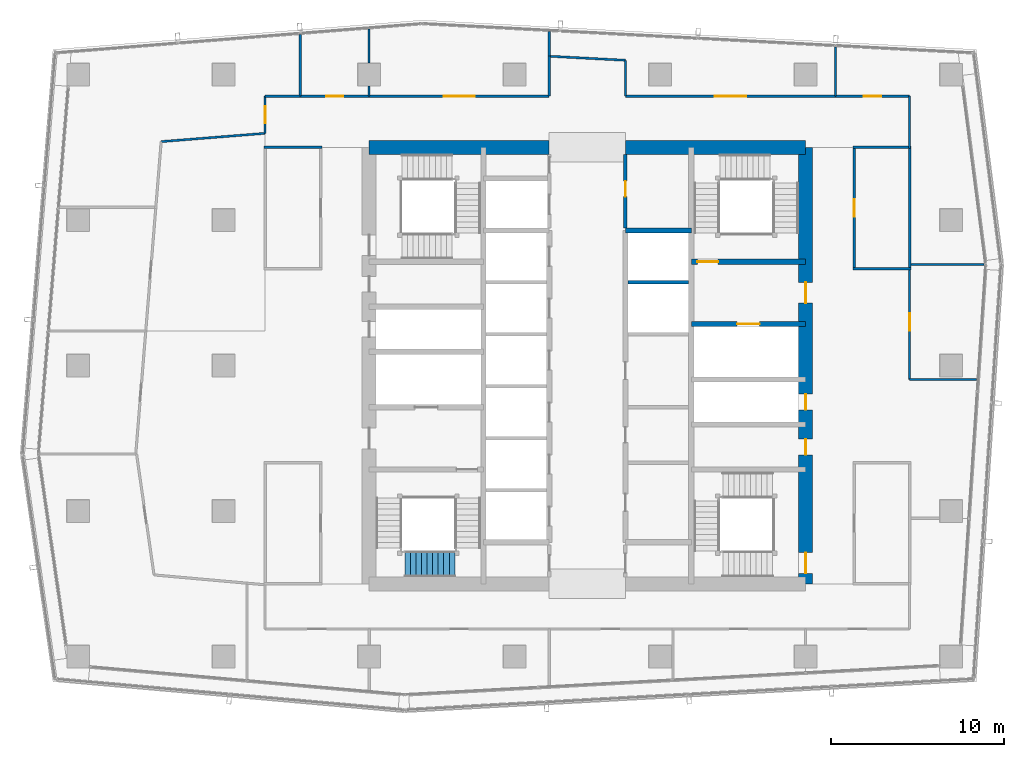
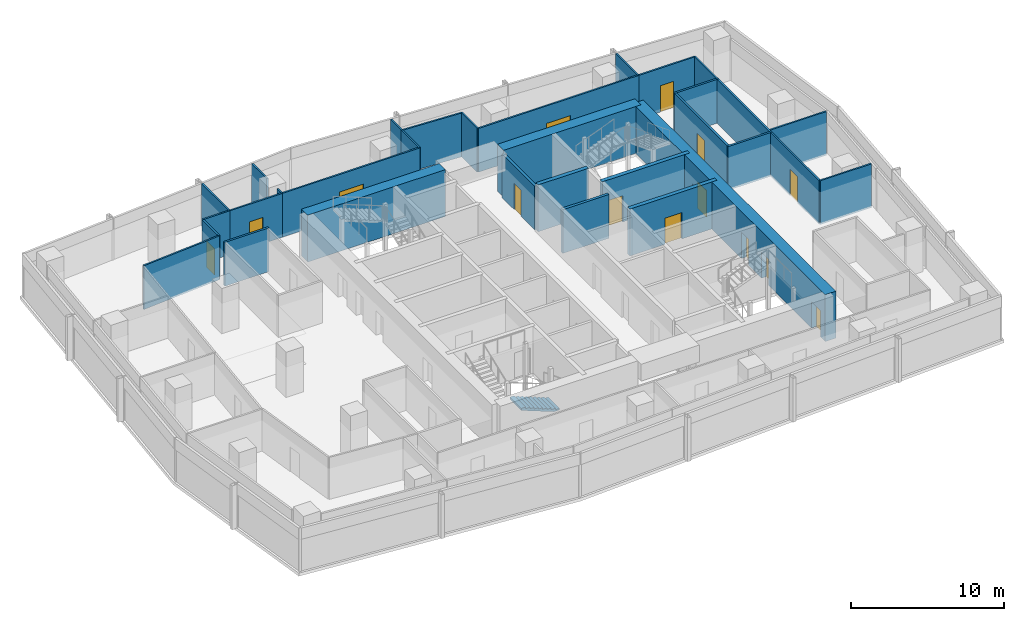
# One storey, part 24 of 29: 32 walls, 14 doors, 1 stair flight, 14 openings, 1 element without a shape of its own.
"""IFC4 building model written with IfcOpenShell, lengths in metres."""

import ifcopenshell
import ifcopenshell.guid

model = None  # the IFC model being written
_history = None  # IfcOwnerHistory: only IFC2X3 demands one
_inside = {}  # id of a spatial element -> (the spatial element, [elements in it])
_under = {}  # id of a project, library or spatial element -> (it, [spatial elements below it])
_declared = {}  # id of a project -> (the project, [libraries it declares])
_typed = {}  # id of a type object -> (the type object, [elements of that type])
_made_of = {}  # id of a material, layer set ... -> (it, [elements and type objects made of it])


def new_model(schema):
    """Start an empty IFC model of exactly this schema.

    Asked for "IFC4X3", IfcOpenShell would pick the latest addendum, in which some entities
    have other attributes; the version numbers below select the first issue.
    IFC2X3 requires an IfcOwnerHistory on every rooted entity: one is made here for all.
    """
    global model, _history
    if schema == "IFC4X3":
        model = ifcopenshell.file(schema_version=(4, 3, 0, 0))
    else:
        model = ifcopenshell.file(schema=schema)
    _inside.clear()
    _under.clear()
    _declared.clear()
    _typed.clear()
    _made_of.clear()
    _history = None
    if model.schema == "IFC2X3":
        org = make("IfcOrganization", Name="unknown")
        user = make(
            "IfcPersonAndOrganization",
            ThePerson=make("IfcPerson", FamilyName="unknown"),
            TheOrganization=org,
        )
        app = make(
            "IfcApplication",
            ApplicationDeveloper=org,
            Version="unknown",
            ApplicationFullName="unknown",
            ApplicationIdentifier="unknown",
        )
        _history = make(
            "IfcOwnerHistory",
            OwningUser=user,
            OwningApplication=app,
            ChangeAction="ADDED",
            CreationDate=0,
        )
    return model


def make(cls, **values):
    """One entity of the class cls with the attributes given. An attribute that is None is left unset."""
    return model.create_entity(
        cls, **{name: value for name, value in values.items() if value is not None}
    )


def rooted(cls, **values):
    """An entity with a GlobalId (a new one), such as an element, a storey or a relation."""
    return make(cls, GlobalId=ifcopenshell.guid.new(), OwnerHistory=_history, **values)


def si_unit(unit_type, name, prefix=None):
    """IfcSIUnit, for example si_unit("LENGTHUNIT", "METRE", prefix="MILLI")."""
    return make("IfcSIUnit", UnitType=unit_type, Prefix=prefix, Name=name)


def assignment(units):
    """IfcUnitAssignment: the units of a project."""
    return None if units is None else make("IfcUnitAssignment", Units=units)


def point(xyz):
    """IfcCartesianPoint."""
    return None if xyz is None else make("IfcCartesianPoint", Coordinates=xyz)


def direction(xyz):
    """IfcDirection."""
    return None if xyz is None else make("IfcDirection", DirectionRatios=xyz)


def frame(location, z_axis=None, x_axis=None):
    """IfcAxis2Placement3D, a coordinate frame: its origin and axes. An axis left out is left unset."""
    return make(
        "IfcAxis2Placement3D",
        Location=point(location),
        Axis=direction(z_axis),
        RefDirection=direction(x_axis),
    )


def frame_2d(location, x_axis=None):
    """IfcAxis2Placement2D, a coordinate frame in the plane: its origin and x axis."""
    return make(
        "IfcAxis2Placement2D", Location=point(location), RefDirection=direction(x_axis)
    )


def origin():
    """The frame at (0, 0, 0) with its axes left unset."""
    return frame((0.0, 0.0, 0.0))


def place(relative_to, where):
    """IfcLocalPlacement: puts the frame where relative to a parent placement (None: the world)."""
    return make(
        "IfcLocalPlacement", PlacementRelTo=relative_to, RelativePlacement=where
    )


def context(
    kind, dimensions, precision=None, world=None, true_north=None, identifier=None
):
    """IfcGeometricRepresentationContext, for example the 3D "Model" context."""
    return make(
        "IfcGeometricRepresentationContext",
        ContextIdentifier=identifier,
        ContextType=kind,
        CoordinateSpaceDimension=dimensions,
        Precision=precision,
        WorldCoordinateSystem=world,
        TrueNorth=true_north,
    )


def subcontext(parent, identifier, kind, view, scale=None):
    """IfcGeometricRepresentationSubContext, for example "Body" below "Model"."""
    return make(
        "IfcGeometricRepresentationSubContext",
        ContextIdentifier=identifier,
        ContextType=kind,
        ParentContext=parent,
        TargetScale=scale,
        TargetView=view,
    )


def project(units=None, contexts=None):
    """IfcProject with its units and contexts."""
    return rooted(
        "IfcProject",
        Name="project",
        RepresentationContexts=contexts,
        UnitsInContext=assignment(units),
    )


def spatial(cls, under=None, at=None, **own):
    """A site, building, storey or space (cls), placed at a placement, below another one or the project."""
    s = rooted(cls, ObjectPlacement=at, **own)
    if under is not None:
        _under.setdefault(under.id(), (under, []))[1].append(s)
    return s


def polyline(points):
    """IfcPolyline through the points."""
    return make("IfcPolyline", Points=[point(p) for p in points])


def profile(cls, at=None, kind="AREA", **sizes):
    """A parametric profile (cls). Its sizes go by their IFC names, for example OverallWidth=200.0."""
    return make(cls, ProfileType=kind, Position=at, **sizes)


def rectangle(**sizes):
    """IfcRectangleProfileDef."""
    return profile("IfcRectangleProfileDef", **sizes)


def outline(outer, holes=None, kind="AREA"):
    """IfcArbitraryClosedProfileDef: a profile drawn as a closed curve; with holes, ...WithVoids."""
    if holes is None:
        return make("IfcArbitraryClosedProfileDef", ProfileType=kind, OuterCurve=outer)
    return make(
        "IfcArbitraryProfileDefWithVoids",
        ProfileType=kind,
        OuterCurve=outer,
        InnerCurves=holes,
    )


def extrude(swept, where, along, depth):
    """IfcExtrudedAreaSolid: the profile swept, set in the frame where, extruded along a direction by depth."""
    return make(
        "IfcExtrudedAreaSolid",
        SweptArea=swept,
        Position=where,
        ExtrudedDirection=direction(along),
        Depth=depth,
    )


def shape(context_of_items, identifier, shape_type, items):
    """IfcShapeRepresentation: the items that make up one representation, for example the "Body"."""
    return make(
        "IfcShapeRepresentation",
        ContextOfItems=context_of_items,
        RepresentationIdentifier=identifier,
        RepresentationType=shape_type,
        Items=items,
    )


def material(Name=None, Category=None):
    """IfcMaterial."""
    return make("IfcMaterial", Name=Name, Category=Category)


def layer(
    of_material, thickness, ventilated=None, Name=None, Category=None, Priority=None
):
    """IfcMaterialLayer: one layer of a wall or slab, of a material (None: an air gap)."""
    return make(
        "IfcMaterialLayer",
        Material=of_material,
        LayerThickness=thickness,
        IsVentilated=ventilated,
        Name=Name,
        Category=Category,
        Priority=Priority,
    )


def layer_set(layers, Name=None):
    """IfcMaterialLayerSet."""
    return make("IfcMaterialLayerSet", MaterialLayers=layers, LayerSetName=Name)


def made_of(thing, what):
    """Note that an element or type object is made of a material, layer set ...; save() writes the relation."""
    if what is not None:
        _made_of.setdefault(what.id(), (what, []))[1].append(thing)
    return thing


def type_object(cls, material=None, **own):
    """A type object (cls), such as IfcWallType, which elements share."""
    return made_of(rooted(cls, **own), material)


def element(
    cls,
    number,
    at=None,
    inside=None,
    cuts=None,
    type_object=None,
    material=None,
    context=None,
    identifier="Body",
    shape_type=None,
    held_by="IfcProductDefinitionShape",
    body=None,
    shapes=None,
    **own,
):
    """One element of the class cls, such as IfcWall. Its Tag is "e" and its number.

    at: its placement. inside: the storey or other place that contains it. cuts: it is an
    opening in that element (IfcRelVoidsElement). A single representation is given by context,
    identifier, shape_type and body (its items); several are given by shapes. held_by: the class
    of the entity that holds the representations. save() writes the other relations.
    """
    e = rooted(cls, Tag="e%d" % number, ObjectPlacement=at, **own)
    if body is not None:
        shapes = [shape(context, identifier, shape_type, body)]
    if shapes is not None:
        e.Representation = make(held_by, Representations=shapes)
    if inside is not None:
        _inside.setdefault(inside.id(), (inside, []))[1].append(e)
    if cuts is not None:
        rooted(
            "IfcRelVoidsElement", RelatingBuildingElement=cuts, RelatedOpeningElement=e
        )
    if type_object is not None:
        _typed.setdefault(type_object.id(), (type_object, []))[1].append(e)
    return made_of(e, material)


def fill(opening, filler):
    """IfcRelFillsElement: the door or window that sits in an opening."""
    return rooted(
        "IfcRelFillsElement",
        RelatingOpeningElement=opening,
        RelatedBuildingElement=filler,
    )


def aggregate(whole, parts):
    """IfcRelAggregates: a whole, such as a stair, and the parts it consists of."""
    return rooted("IfcRelAggregates", RelatingObject=whole, RelatedObjects=parts)


def save(model, path):
    """Write the relations noted so far, then the file.

    IfcRelAggregates (storeys below a building ...), IfcRelContainedInSpatialStructure (elements
    in a storey), IfcRelDefinesByType, IfcRelAssociatesMaterial and IfcRelDeclares: one each for
    every whole, place, type object, material and project.
    """
    for whole, parts in _under.values():
        aggregate(whole, parts)
    for where, things in _inside.values():
        rooted(
            "IfcRelContainedInSpatialStructure",
            RelatedElements=things,
            RelatingStructure=where,
        )
    for kind, things in _typed.values():
        rooted("IfcRelDefinesByType", RelatedObjects=things, RelatingType=kind)
    for what, things in _made_of.values():
        rooted("IfcRelAssociatesMaterial", RelatedObjects=things, RelatingMaterial=what)
    for by, libraries in _declared.values():
        rooted("IfcRelDeclares", RelatingContext=by, RelatedDefinitions=libraries)
    model.write(path)


model = new_model("IFC4")

# Units and contexts
model_context = context("Model", 3, precision=1e-05, world=origin(), true_north=direction((0.0, 1.0)))
body_context = subcontext(model_context, "Body", "Model", "MODEL_VIEW")
ifc_project = project(units=[si_unit("LENGTHUNIT", "METRE"), si_unit("AREAUNIT", "SQUARE_METRE"), si_unit("VOLUMEUNIT", "CUBIC_METRE"), si_unit("PLANEANGLEUNIT", "RADIAN"), si_unit("MASSUNIT", "GRAM", prefix="KILO")], contexts=[model_context])

# Site, building, storey
site_placement = place(None, origin())
site = spatial("IfcSite", under=ifc_project, at=site_placement, CompositionType="ELEMENT")
building_placement = place(site_placement, origin())
building = spatial("IfcBuilding", under=site, at=building_placement, Name="Rekha Terrace Tower", CompositionType="ELEMENT")
storey_placement = place(building_placement, frame((0.0, 0.0, 276.35009765625)))
storey = spatial("IfcBuildingStorey", under=building, at=storey_placement, Name="L70", CompositionType="ELEMENT", Elevation=276.35009765625)

# Wall
ifc_material_1 = material(Name="Concrete M60", Category="concrete")
ifc_layer_1 = layer(ifc_material_1, 0.300048828125)
ifc_layer_set_1 = layer_set([ifc_layer_1], Name="Concrete M60")
wall_type_1 = type_object("IfcWallType", Name="CI5 300 core internal shear wall", PredefinedType="SHEAR", material=ifc_layer_set_1)
wall_1_placement = place(storey_placement, frame((40.0, 41.39990234375, 0.0), z_axis=(0.0, 0.0, 1.0), x_axis=(1.0, 0.0, 0.0)))
element("IfcWall", 1, at=wall_1_placement, inside=storey, type_object=wall_type_1, Name="Core wall Y414E L70", PredefinedType="SHEAR", context=body_context, shape_type="SweptSolid", body=[
    extrude(rectangle(XDim=3.800048828125, YDim=0.300048828125, at=frame_2d((1.89990234375, 0.0))), origin(), (0.0, 0.0, 1.0), 3.75),
])

# Wall, opening, door
wall_2_placement = place(storey_placement, frame((43.800048828125, 36.0, 0.0), z_axis=(0.0, 0.0, 1.0), x_axis=(1.0, 0.0, 0.0)))
wall_2 = element("IfcWall", 2, at=wall_2_placement, inside=storey, type_object=wall_type_1, Name="Core wall Y360E L70", PredefinedType="SHEAR", context=body_context, shape_type="SweptSolid", body=[
    extrude(rectangle(XDim=6.599853515625, YDim=0.300048828125, at=frame_2d((3.2998046875, 0.0))), origin(), (0.0, 0.0, 1.0), 3.75),
])
opening_1_placement = place(wall_2_placement, frame((2.64990234375, 0.0, 0.0)))
opening_1 = element("IfcOpeningElement", 3, at=opening_1_placement, cuts=wall_2, Name="Opening LD2", PredefinedType="OPENING", context=body_context, shape_type="SweptSolid", body=[
    extrude(rectangle(XDim=1.300048828125, YDim=2.10009765625, at=frame_2d((0.64990234375, 1.050048828125))), frame((0.0, 0.159912109375, 0.0), z_axis=(0.0, -1.0, 0.0), x_axis=(1.0, 0.0, 0.0)), (0.0, 0.0, 1.0), 0.320068359375),
])
ifc_material_2 = material(Name="Stainless steel sliding landing door", Category="steel")
door_type_1 = type_object("IfcDoorType", Name="LD2 1300x2100 fire lift landing door", OperationType="SLIDING_TO_LEFT", PredefinedType="USERDEFINED", material=ifc_material_2)
door_1_placement = place(opening_1_placement, origin())
door_1 = element("IfcDoor", 4, at=door_1_placement, inside=storey, type_object=door_type_1, Name="Lift FL2 landing door L70", ObjectType="LIFT LANDING DOOR", OperationType="SLIDING_TO_LEFT", OverallHeight=2.10009765625, OverallWidth=1.300048828125, PredefinedType="USERDEFINED", context=body_context, shape_type="SweptSolid", body=[
    extrude(rectangle(XDim=1.300048828125, YDim=2.10009765625, at=frame_2d((0.64990234375, 1.050048828125))), frame((0.0, 0.02490234375, 0.0), z_axis=(0.0, -1.0, 0.0), x_axis=(1.0, 0.0, 0.0)), (0.0, 0.0, 1.0), 0.050048828125),
])
fill(opening_1, door_1)

wall_3_placement = place(storey_placement, frame((43.800048828125, 39.60009765625, 0.0), z_axis=(0.0, 0.0, 1.0), x_axis=(1.0, 0.0, 0.0)))
wall_3 = element("IfcWall", 5, at=wall_3_placement, inside=storey, type_object=wall_type_1, Name="Core wall Y396E L70", PredefinedType="SHEAR", context=body_context, shape_type="SweptSolid", body=[
    extrude(rectangle(XDim=6.599853515625, YDim=0.300048828125, at=frame_2d((3.2998046875, 0.0))), origin(), (0.0, 0.0, 1.0), 3.75),
])
opening_2_placement = place(wall_3_placement, frame((0.35009765625, 0.0, 0.0)))
opening_2 = element("IfcOpeningElement", 6, at=opening_2_placement, cuts=wall_3, Name="Opening D1", PredefinedType="OPENING", context=body_context, shape_type="SweptSolid", body=[
    extrude(rectangle(XDim=1.199951171875, YDim=2.10009765625, at=frame_2d((0.60009765625, 1.050048828125))), frame((0.0, 0.159912109375, 0.0), z_axis=(0.0, -1.0, 0.0), x_axis=(1.0, 0.0, 0.0)), (0.0, 0.0, 1.0), 0.320068359375),
])
ifc_material_3 = material(Name="Steel fire door", Category="steel")
door_type_2 = type_object("IfcDoorType", Name="D1 1200x2100 stair fire door", OperationType="SINGLE_SWING_RIGHT", PredefinedType="DOOR", material=ifc_material_3)
door_2_placement = place(opening_2_placement, origin())
door_2 = element("IfcDoor", 7, at=door_2_placement, inside=storey, type_object=door_type_2, Name="Stair ST2 door L70", OperationType="SINGLE_SWING_RIGHT", OverallHeight=2.10009765625, OverallWidth=1.199951171875, PredefinedType="DOOR", context=body_context, shape_type="SweptSolid", body=[
    extrude(rectangle(XDim=1.199951171875, YDim=2.10009765625, at=frame_2d((0.60009765625, 1.050048828125))), frame((0.0, 0.02490234375, 0.0), z_axis=(0.0, -1.0, 0.0), x_axis=(1.0, 0.0, 0.0)), (0.0, 0.0, 1.0), 0.050048828125),
])
fill(opening_2, door_2)

# Walls
ifc_layer_2 = layer(ifc_material_1, 0.800048828125)
ifc_layer_set_2 = layer_set([ifc_layer_2], Name="Concrete M60")
wall_type_2 = type_object("IfcWallType", Name="SW5 800 core outer shear wall", PredefinedType="SHEAR", material=ifc_layer_set_2)
wall_4_placement = place(storey_placement, frame((25.199951171875, 46.199951171875, 0.0), z_axis=(0.0, 0.0, 1.0), x_axis=(1.0, 0.0, 0.0)))
element("IfcWall", 8, at=wall_4_placement, inside=storey, type_object=wall_type_2, Name="Core wall N1 L70", PredefinedType="SHEAR", context=body_context, shape_type="SweptSolid", body=[
    extrude(rectangle(XDim=10.400146484375, YDim=0.800048828125, at=frame_2d((5.2001953125, 0.0))), origin(), (0.0, 0.0, 1.0), 3.75),
])
wall_5_placement = place(storey_placement, frame((40.0, 46.199951171875, 0.0), z_axis=(0.0, 0.0, 1.0), x_axis=(1.0, 0.0, 0.0)))
element("IfcWall", 9, at=wall_5_placement, inside=storey, type_object=wall_type_2, Name="Core wall N2 L70", PredefinedType="SHEAR", context=body_context, shape_type="SweptSolid", body=[
    extrude(rectangle(XDim=10.39990234375, YDim=0.800048828125, at=frame_2d((5.199951171875, 0.0))), origin(), (0.0, 0.0, 1.0), 3.75),
])

# Wall, openings, doors
wall_6_placement = place(storey_placement, frame((50.39990234375, 21.0, 0.0), z_axis=(0.0, 0.0, 1.0), x_axis=(0.0, 1.0, 0.0)))
wall_6 = element("IfcWall", 10, at=wall_6_placement, inside=storey, type_object=wall_type_2, Name="Core wall E L70", PredefinedType="SHEAR", context=body_context, shape_type="SweptSolid", body=[
    extrude(rectangle(XDim=25.199951171875, YDim=0.800048828125, at=frame_2d((12.60009765625, 0.0))), origin(), (0.0, 0.0, 1.0), 3.75),
])
opening_3_placement = place(wall_6_placement, frame((16.199951171875, 0.0, 0.0)))
opening_3 = element("IfcOpeningElement", 11, at=opening_3_placement, cuts=wall_6, Name="Opening D2", PredefinedType="OPENING", context=body_context, shape_type="SweptSolid", body=[
    extrude(rectangle(XDim=1.199951171875, YDim=2.10009765625, at=frame_2d((0.60009765625, 1.050048828125))), frame((0.0, 0.409912109375, 0.0), z_axis=(0.0, -1.0, 0.0), x_axis=(1.0, 0.0, 0.0)), (0.0, 0.0, 1.0), 0.820068359375),
])
opening_4_placement = place(wall_6_placement, frame((10.050048828125, 0.0, 0.0)))
opening_4 = element("IfcOpeningElement", 12, at=opening_4_placement, cuts=wall_6, Name="Opening D5", PredefinedType="OPENING", context=body_context, shape_type="SweptSolid", body=[
    extrude(rectangle(XDim=0.89990234375, YDim=2.10009765625, at=frame_2d((0.449951171875, 1.050048828125))), frame((0.0, 0.409912109375, 0.0), z_axis=(0.0, -1.0, 0.0), x_axis=(1.0, 0.0, 0.0)), (0.0, 0.0, 1.0), 0.820068359375),
])
opening_5_placement = place(wall_6_placement, frame((7.449951171875, 0.0, 0.0)))
opening_5 = element("IfcOpeningElement", 13, at=opening_5_placement, cuts=wall_6, Name="Opening D5", PredefinedType="OPENING", context=body_context, shape_type="SweptSolid", body=[
    extrude(rectangle(XDim=0.89990234375, YDim=2.10009765625, at=frame_2d((0.449951171875, 1.050048828125))), frame((0.0, 0.409912109375, 0.0), z_axis=(0.0, -1.0, 0.0), x_axis=(1.0, 0.0, 0.0)), (0.0, 0.0, 1.0), 0.820068359375),
])
opening_6_placement = place(wall_6_placement, frame((0.60009765625, 0.0, 0.0)))
opening_6 = element("IfcOpeningElement", 14, at=opening_6_placement, cuts=wall_6, Name="Opening D1", PredefinedType="OPENING", context=body_context, shape_type="SweptSolid", body=[
    extrude(rectangle(XDim=1.199951171875, YDim=2.10009765625, at=frame_2d((0.60009765625, 1.050048828125))), frame((0.0, 0.409912109375, 0.0), z_axis=(0.0, -1.0, 0.0), x_axis=(1.0, 0.0, 0.0)), (0.0, 0.0, 1.0), 0.820068359375),
])
door_3_placement = place(opening_6_placement, origin())
door_3 = element("IfcDoor", 15, at=door_3_placement, inside=storey, type_object=door_type_2, Name="Stair ST3 door L70", OperationType="SINGLE_SWING_RIGHT", OverallHeight=2.10009765625, OverallWidth=1.199951171875, PredefinedType="DOOR", context=body_context, shape_type="SweptSolid", body=[
    extrude(rectangle(XDim=1.199951171875, YDim=2.10009765625, at=frame_2d((0.60009765625, 1.050048828125))), frame((0.0, 0.02490234375, 0.0), z_axis=(0.0, -1.0, 0.0), x_axis=(1.0, 0.0, 0.0)), (0.0, 0.0, 1.0), 0.050048828125),
])
fill(opening_6, door_3)
door_type_3 = type_object("IfcDoorType", Name="D2 1200x2100 firefighting lobby door", OperationType="SINGLE_SWING_LEFT", PredefinedType="DOOR", material=ifc_material_3)
door_4_placement = place(opening_3_placement, origin())
door_4 = element("IfcDoor", 16, at=door_4_placement, inside=storey, type_object=door_type_3, Name="Door flb2 L70", OperationType="SINGLE_SWING_LEFT", OverallHeight=2.10009765625, OverallWidth=1.199951171875, PredefinedType="DOOR", context=body_context, shape_type="SweptSolid", body=[
    extrude(rectangle(XDim=1.199951171875, YDim=2.10009765625, at=frame_2d((0.60009765625, 1.050048828125))), frame((0.0, 0.02490234375, 0.0), z_axis=(0.0, -1.0, 0.0), x_axis=(1.0, 0.0, 0.0)), (0.0, 0.0, 1.0), 0.050048828125),
])
fill(opening_3, door_4)
door_type_4 = type_object("IfcDoorType", Name="D5 900x2100 riser access door", OperationType="SINGLE_SWING_LEFT", PredefinedType="DOOR", material=ifc_material_3)
door_5_placement = place(opening_4_placement, origin())
door_5 = element("IfcDoor", 17, at=door_5_placement, inside=storey, type_object=door_type_4, Name="Door rs2 L70", OperationType="SINGLE_SWING_LEFT", OverallHeight=2.10009765625, OverallWidth=0.89990234375, PredefinedType="DOOR", context=body_context, shape_type="SweptSolid", body=[
    extrude(rectangle(XDim=0.89990234375, YDim=2.10009765625, at=frame_2d((0.449951171875, 1.050048828125))), frame((0.0, 0.02490234375, 0.0), z_axis=(0.0, -1.0, 0.0), x_axis=(1.0, 0.0, 0.0)), (0.0, 0.0, 1.0), 0.050048828125),
])
fill(opening_4, door_5)
door_6_placement = place(opening_5_placement, origin())
door_6 = element("IfcDoor", 18, at=door_6_placement, inside=storey, type_object=door_type_4, Name="Door ele L70", OperationType="SINGLE_SWING_LEFT", OverallHeight=2.10009765625, OverallWidth=0.89990234375, PredefinedType="DOOR", context=body_context, shape_type="SweptSolid", body=[
    extrude(rectangle(XDim=0.89990234375, YDim=2.10009765625, at=frame_2d((0.449951171875, 1.050048828125))), frame((0.0, 0.02490234375, 0.0), z_axis=(0.0, -1.0, 0.0), x_axis=(1.0, 0.0, 0.0)), (0.0, 0.0, 1.0), 0.050048828125),
])
fill(opening_5, door_6)

# Walls
ifc_material_4 = material(Name="Concrete block masonry, 1 hour", Category="masonry")
ifc_layer_3 = layer(ifc_material_4, 0.14990234375)
ifc_layer_set_3 = layer_set([ifc_layer_3], Name="Concrete block masonry, 1 hour")
wall_type_3 = type_object("IfcWallType", Name="WP2 150 tenancy partition", PredefinedType="PARTITIONING", material=ifc_layer_set_3)
for number, where, z_axis, x_axis, name in (
    (19, (53.125, 39.199951171875, 0.0), (0.0, 0.0, 1.0), (1.0, 0.0, 0.0), "Women's WC wall L70"),
    (20, (53.125, 46.199951171875, 0.0), (0.0, 0.0, 1.0), (1.0, 0.0, 0.0), "Women's WC wall L70"),
):
    element("IfcWall", number, at=place(storey_placement, frame(where, z_axis=z_axis, x_axis=x_axis)), inside=storey, type_object=wall_type_3, Name=name, PredefinedType="PARTITIONING", context=body_context, shape_type="SweptSolid", body=[
        extrude(rectangle(XDim=3.35009765625, YDim=0.14990234375, at=frame_2d((1.675048828125, 0.0))), origin(), (0.0, 0.0, 1.0), 3.5),
    ])

# Wall, opening, door
wall_7_placement = place(storey_placement, frame((53.199951171875, 39.27490234375, 0.0), z_axis=(0.0, 0.0, 1.0), x_axis=(0.0, 1.0, 0.0)))
wall_7 = element("IfcWall", 21, at=wall_7_placement, inside=storey, type_object=wall_type_3, Name="Women's WC wall L70", PredefinedType="PARTITIONING", context=body_context, shape_type="SweptSolid", body=[
    extrude(rectangle(XDim=6.85009765625, YDim=0.14990234375, at=frame_2d((3.425048828125, 0.0))), origin(), (0.0, 0.0, 1.0), 3.5),
])
opening_7_placement = place(wall_7_placement, frame((2.925048828125, 0.0, 0.0)))
opening_7 = element("IfcOpeningElement", 22, at=opening_7_placement, cuts=wall_7, Name="Opening D3", PredefinedType="OPENING", context=body_context, shape_type="SweptSolid", body=[
    extrude(rectangle(XDim=1.0, YDim=2.10009765625, at=frame_2d((0.5, 1.050048828125))), frame((0.0, 0.0849609375, 0.0), z_axis=(0.0, -1.0, 0.0), x_axis=(1.0, 0.0, 0.0)), (0.0, 0.0, 1.0), 0.169921875),
])
ifc_material_5 = material(Name="Laminated timber fire door", Category="wood")
door_type_5 = type_object("IfcDoorType", Name="D3 1000x2100 WC door", OperationType="SINGLE_SWING_LEFT", PredefinedType="DOOR", material=ifc_material_5)
door_7_placement = place(opening_7_placement, origin())
door_7 = element("IfcDoor", 23, at=door_7_placement, inside=storey, type_object=door_type_5, Name="Door women's wc L70", OperationType="SINGLE_SWING_LEFT", OverallHeight=2.10009765625, OverallWidth=1.0, PredefinedType="DOOR", context=body_context, shape_type="SweptSolid", body=[
    extrude(rectangle(XDim=1.0, YDim=2.10009765625, at=frame_2d((0.5, 1.050048828125))), frame((0.0, 0.02490234375, 0.0), z_axis=(0.0, -1.0, 0.0), x_axis=(1.0, 0.0, 0.0)), (0.0, 0.0, 1.0), 0.050048828125),
])
fill(opening_7, door_7)

# Walls
wall_8_placement = place(storey_placement, frame((56.39990234375, 39.27490234375, 0.0), z_axis=(0.0, 0.0, 1.0), x_axis=(0.0, 1.0, 0.0)))
element("IfcWall", 24, at=wall_8_placement, inside=storey, type_object=wall_type_3, Name="Women's WC wall L70", PredefinedType="PARTITIONING", context=body_context, shape_type="SweptSolid", body=[
    extrude(rectangle(XDim=6.85009765625, YDim=0.14990234375, at=frame_2d((3.425048828125, 0.0))), origin(), (0.0, 0.0, 1.0), 3.5),
])
wall_9_placement = place(storey_placement, frame((19.125, 46.199951171875, 0.0), z_axis=(0.0, 0.0, 1.0), x_axis=(1.0, 0.0, 0.0)))
element("IfcWall", 25, at=wall_9_placement, inside=storey, type_object=wall_type_3, Name="Women's WC wall L70", PredefinedType="PARTITIONING", context=body_context, shape_type="SweptSolid", body=[
    extrude(rectangle(XDim=3.35009765625, YDim=0.14990234375, at=frame_2d((1.675048828125, 0.0))), origin(), (0.0, 0.0, 1.0), 3.5),
])
ifc_material_6 = material(Name="Two layers of fire-rated gypsum board each side on steel studs, acoustic quilt, 1 hour", Category="steel")
ifc_layer_4 = layer(ifc_material_6, 0.125)
ifc_layer_set_4 = layer_set([ifc_layer_4], Name="Two layers of fire-rated gypsum board each side on steel studs, acoustic quilt, 1 hour")
wall_type_4 = type_object("IfcWallType", Name="WP3 125 office partition", PredefinedType="PARTITIONING", material=ifc_layer_set_4)
wall_10_placement = place(storey_placement, frame((60.26611328125, 32.7919921875, 0.0), z_axis=(0.0, 0.0, 1.0), x_axis=(-1.0, 0.0, 0.0)))
element("IfcWall", 26, at=wall_10_placement, inside=storey, type_object=wall_type_4, Name="Partition L70-02", PredefinedType="PARTITIONING", context=body_context, shape_type="SweptSolid", body=[
    extrude(rectangle(XDim=3.8662109375, YDim=0.125, at=frame_2d((1.93310546875, 0.0))), origin(), (0.0, 0.0, 1.0), 3.5),
])

# Wall, opening, door
wall_11_placement = place(storey_placement, frame((56.39990234375, 32.7919921875, 0.0), z_axis=(0.0, 0.0, 1.0), x_axis=(0.0, 1.0, 0.0)))
wall_11 = element("IfcWall", 27, at=wall_11_placement, inside=storey, type_object=wall_type_4, Name="Partition L70-02", PredefinedType="PARTITIONING", context=body_context, shape_type="SweptSolid", body=[
    extrude(rectangle(XDim=6.48193359375, YDim=0.125, at=frame_2d((3.240966796875, 0.0))), origin(), (0.0, 0.0, 1.0), 3.5),
])
opening_8_placement = place(wall_11_placement, frame((2.822998046875, 0.0, 0.0)))
opening_8 = element("IfcOpeningElement", 28, at=opening_8_placement, cuts=wall_11, Name="Opening D9", PredefinedType="OPENING", context=body_context, shape_type="SweptSolid", body=[
    extrude(rectangle(XDim=1.0, YDim=2.10009765625, at=frame_2d((0.5, 1.050048828125))), frame((0.0, 0.072509765625, 0.0), z_axis=(0.0, -1.0, 0.0), x_axis=(1.0, 0.0, 0.0)), (0.0, 0.0, 1.0), 0.14501953125),
])
ifc_material_7 = material(Name="Timber fire door", Category="wood")
door_type_6 = type_object("IfcDoorType", Name="D9 1000x2100 office door", OperationType="SINGLE_SWING_LEFT", PredefinedType="DOOR", material=ifc_material_7)
door_8_placement = place(opening_8_placement, origin())
door_8 = element("IfcDoor", 29, at=door_8_placement, inside=storey, type_object=door_type_6, Name="Door meeting room L70", OperationType="SINGLE_SWING_LEFT", OverallHeight=2.10009765625, OverallWidth=1.0, PredefinedType="DOOR", context=body_context, shape_type="SweptSolid", body=[
    extrude(rectangle(XDim=1.0, YDim=2.10009765625, at=frame_2d((0.5, 1.050048828125))), frame((0.0, 0.02490234375, 0.0), z_axis=(0.0, -1.0, 0.0), x_axis=(1.0, 0.0, 0.0)), (0.0, 0.0, 1.0), 0.050048828125),
])
fill(opening_8, door_8)

# Walls
wall_12_placement = place(storey_placement, frame((56.47509765625, 39.43896484375, 0.0), z_axis=(0.0, 0.0, 1.0), x_axis=(1.0, 0.0, 0.0)))
element("IfcWall", 30, at=wall_12_placement, inside=storey, type_object=wall_type_4, Name="Partition L70-02", PredefinedType="PARTITIONING", context=body_context, shape_type="SweptSolid", body=[
    extrude(rectangle(XDim=4.224853515625, YDim=0.125, at=frame_2d((2.1123046875, 0.0))), origin(), (0.0, 0.0, 1.0), 3.5),
])
wall_13_placement = place(storey_placement, frame((52.123046875, 49.14990234375, 0.0), z_axis=(0.0, 0.0, 1.0), x_axis=(0.0, 1.0, 0.0)))
element("IfcWall", 31, at=wall_13_placement, inside=storey, type_object=wall_type_4, Name="Partition L70-03", PredefinedType="PARTITIONING", context=body_context, shape_type="SweptSolid", body=[
    extrude(rectangle(XDim=2.85205078125, YDim=0.125, at=frame_2d((1.426025390625, 0.0))), origin(), (0.0, 0.0, 1.0), 3.5),
])
wall_14_placement = place(storey_placement, frame((56.39990234375, 46.125, 0.0), z_axis=(0.0, 0.0, 1.0), x_axis=(0.0, 1.0, 0.0)))
element("IfcWall", 32, at=wall_14_placement, inside=storey, type_object=wall_type_4, Name="Partition L70-03", PredefinedType="PARTITIONING", context=body_context, shape_type="SweptSolid", body=[
    extrude(rectangle(XDim=3.02490234375, YDim=0.125, at=frame_2d((1.512451171875, 0.0))), origin(), (0.0, 0.0, 1.0), 3.5),
])

# Wall, opening, door
wall_15_placement = place(storey_placement, frame((56.39990234375, 49.14990234375, 0.0), z_axis=(0.0, 0.0, 1.0), x_axis=(-1.0, 0.0, 0.0)))
wall_15 = element("IfcWall", 33, at=wall_15_placement, inside=storey, type_object=wall_type_4, Name="Partition L70-03", PredefinedType="PARTITIONING", context=body_context, shape_type="SweptSolid", body=[
    extrude(rectangle(XDim=4.27685546875, YDim=0.125, at=frame_2d((2.138427734375, 0.0))), origin(), (0.0, 0.0, 1.0), 3.5),
])
opening_9_placement = place(wall_15_placement, frame((1.638916015625, 0.0, 0.0)))
opening_9 = element("IfcOpeningElement", 34, at=opening_9_placement, cuts=wall_15, Name="Opening D9", PredefinedType="OPENING", context=body_context, shape_type="SweptSolid", body=[
    extrude(rectangle(XDim=1.0, YDim=2.10009765625, at=frame_2d((0.5, 1.050048828125))), frame((0.0, 0.072509765625, 0.0), z_axis=(0.0, -1.0, 0.0), x_axis=(1.0, 0.0, 0.0)), (0.0, 0.0, 1.0), 0.14501953125),
])
door_9_placement = place(opening_9_placement, origin())
door_9 = element("IfcDoor", 35, at=door_9_placement, inside=storey, type_object=door_type_6, Name="Door chairman's office L70", OperationType="SINGLE_SWING_LEFT", OverallHeight=2.10009765625, OverallWidth=1.0, PredefinedType="DOOR", context=body_context, shape_type="SweptSolid", body=[
    extrude(rectangle(XDim=1.0, YDim=2.10009765625, at=frame_2d((0.5, 1.050048828125))), frame((0.0, 0.02490234375, 0.0), z_axis=(0.0, -1.0, 0.0), x_axis=(1.0, 0.0, 0.0)), (0.0, 0.0, 1.0), 0.050048828125),
])
fill(opening_9, door_9)

# Wall
wall_16_placement = place(storey_placement, frame((35.60205078125, 51.4580078125, 0.0), z_axis=(0.0, 0.0, 1.0), x_axis=(0.0, 1.0, 0.0)))
element("IfcWall", 36, at=wall_16_placement, inside=storey, type_object=wall_type_4, Name="Partition L70-04", PredefinedType="PARTITIONING", context=body_context, shape_type="SweptSolid", body=[
    extrude(rectangle(XDim=1.421875, YDim=0.125, at=frame_2d((0.7109375, 0.0))), origin(), (0.0, 0.0, 1.0), 3.5),
])

# Wall, opening, door
wall_17_placement = place(storey_placement, frame((52.123046875, 49.14990234375, 0.0), z_axis=(0.0, 0.0, 1.0), x_axis=(-1.0, 0.0, 0.0)))
wall_17 = element("IfcWall", 37, at=wall_17_placement, inside=storey, type_object=wall_type_4, Name="Partition L70-04", PredefinedType="PARTITIONING", context=body_context, shape_type="SweptSolid", body=[
    extrude(rectangle(XDim=12.123046875, YDim=0.125, at=frame_2d((6.0615234375, 0.0))), origin(), (0.0, 0.0, 1.0), 3.5),
])
opening_10_placement = place(wall_17_placement, frame((5.162109375, 0.0, 0.0)))
opening_10 = element("IfcOpeningElement", 38, at=opening_10_placement, cuts=wall_17, Name="Opening D8", PredefinedType="OPENING", context=body_context, shape_type="SweptSolid", body=[
    extrude(rectangle(XDim=1.800048828125, YDim=2.10009765625, at=frame_2d((0.89990234375, 1.050048828125))), frame((0.0, 0.072509765625, 0.0), z_axis=(0.0, -1.0, 0.0), x_axis=(1.0, 0.0, 0.0)), (0.0, 0.0, 1.0), 0.14501953125),
])
door_type_7 = type_object("IfcDoorType", Name="D8 1800x2100 double leaf door", OperationType="DOUBLE_DOOR_SINGLE_SWING", PredefinedType="DOOR", material=ifc_material_7)
door_10_placement = place(opening_10_placement, origin())
door_10 = element("IfcDoor", 39, at=door_10_placement, inside=storey, type_object=door_type_7, Name="Door meeting room L70", OperationType="DOUBLE_DOOR_SINGLE_SWING", OverallHeight=2.10009765625, OverallWidth=1.800048828125, PredefinedType="DOOR", context=body_context, shape_type="SweptSolid", body=[
    extrude(rectangle(XDim=1.800048828125, YDim=2.10009765625, at=frame_2d((0.89990234375, 1.050048828125))), frame((0.0, 0.02490234375, 0.0), z_axis=(0.0, -1.0, 0.0), x_axis=(1.0, 0.0, 0.0)), (0.0, 0.0, 1.0), 0.050048828125),
])
fill(opening_10, door_10)

# Walls
wall_18_placement = place(storey_placement, frame((40.0, 49.14990234375, 0.0), z_axis=(0.0, 0.0, 1.0), x_axis=(0.0, 1.0, 0.0)))
element("IfcWall", 40, at=wall_18_placement, inside=storey, type_object=wall_type_4, Name="Partition L70-04", PredefinedType="PARTITIONING", context=body_context, shape_type="SweptSolid", body=[
    extrude(rectangle(XDim=2.0751953125, YDim=0.125, at=frame_2d((1.03759765625, 0.0))), origin(), (0.0, 0.0, 1.0), 3.5),
])
wall_19_placement = place(storey_placement, frame((40.0, 51.22509765625, 0.0), z_axis=(0.0, 0.0, 1.0), x_axis=(-0.998600625097, 0.052884700585, 0.0)))
element("IfcWall", 41, at=wall_19_placement, inside=storey, type_object=wall_type_4, Name="Partition L70-04", PredefinedType="PARTITIONING", context=body_context, shape_type="SweptSolid", body=[
    extrude(rectangle(XDim=4.404052734375, YDim=0.125, at=frame_2d((2.2021484375, 0.0))), origin(), (0.0, 0.0, 1.0), 3.5),
])
wall_20_placement = place(storey_placement, frame((25.205078125, 53.02490234375, 0.0), z_axis=(0.0, 0.0, 1.0), x_axis=(0.0, -1.0, 0.0)))
element("IfcWall", 42, at=wall_20_placement, inside=storey, type_object=wall_type_4, Name="Partition L70-05", PredefinedType="PARTITIONING", context=body_context, shape_type="SweptSolid", body=[
    extrude(rectangle(XDim=1.954833984375, YDim=0.125, at=frame_2d((0.9775390625, 0.0))), origin(), (0.0, 0.0, 1.0), 3.5),
])
wall_21_placement = place(storey_placement, frame((25.205078125, 49.72998046875, 0.0), z_axis=(0.0, 0.0, 1.0), x_axis=(0.0, -1.0, 0.0)))
element("IfcWall", 43, at=wall_21_placement, inside=storey, type_object=wall_type_4, Name="Partition L70-05", PredefinedType="PARTITIONING", context=body_context, shape_type="SweptSolid", body=[
    extrude(rectangle(XDim=0.580078125, YDim=0.125, at=frame_2d((0.2900390625, 0.0))), origin(), (0.0, 0.0, 1.0), 3.5),
])

# Wall, opening, door
wall_22_placement = place(storey_placement, frame((25.205078125, 49.14990234375, 0.0), z_axis=(0.0, 0.0, 1.0), x_axis=(-1.0, 0.0, 0.0)))
wall_22 = element("IfcWall", 44, at=wall_22_placement, inside=storey, type_object=wall_type_4, Name="Partition L70-05", PredefinedType="PARTITIONING", context=body_context, shape_type="SweptSolid", body=[
    extrude(rectangle(XDim=3.97802734375, YDim=0.125, at=frame_2d((1.989013671875, 0.0))), origin(), (0.0, 0.0, 1.0), 3.5),
])
opening_11_placement = place(wall_22_placement, frame((1.489013671875, 0.0, 0.0)))
opening_11 = element("IfcOpeningElement", 45, at=opening_11_placement, cuts=wall_22, Name="Opening D9", PredefinedType="OPENING", context=body_context, shape_type="SweptSolid", body=[
    extrude(rectangle(XDim=1.0, YDim=2.10009765625, at=frame_2d((0.5, 1.050048828125))), frame((0.0, 0.072509765625, 0.0), z_axis=(0.0, -1.0, 0.0), x_axis=(1.0, 0.0, 0.0)), (0.0, 0.0, 1.0), 0.14501953125),
])
door_11_placement = place(opening_11_placement, origin())
door_11 = element("IfcDoor", 46, at=door_11_placement, inside=storey, type_object=door_type_6, Name="Door meeting room L70", OperationType="SINGLE_SWING_LEFT", OverallHeight=2.10009765625, OverallWidth=1.0, PredefinedType="DOOR", context=body_context, shape_type="SweptSolid", body=[
    extrude(rectangle(XDim=1.0, YDim=2.10009765625, at=frame_2d((0.5, 1.050048828125))), frame((0.0, 0.02490234375, 0.0), z_axis=(0.0, -1.0, 0.0), x_axis=(1.0, 0.0, 0.0)), (0.0, 0.0, 1.0), 0.050048828125),
])
fill(opening_11, door_11)

# Walls
wall_23_placement = place(storey_placement, frame((21.22705078125, 49.14990234375, 0.0), z_axis=(0.0, 0.0, 1.0), x_axis=(0.0, 1.0, 0.0)))
element("IfcWall", 47, at=wall_23_placement, inside=storey, type_object=wall_type_4, Name="Partition L70-05", PredefinedType="PARTITIONING", context=body_context, shape_type="SweptSolid", body=[
    extrude(rectangle(XDim=3.55810546875, YDim=0.125, at=frame_2d((1.779052734375, 0.0))), origin(), (0.0, 0.0, 1.0), 3.5),
])
wall_24_placement = place(storey_placement, frame((19.199951171875, 47.008056640625, 0.0), z_axis=(0.0, 0.0, 1.0), x_axis=(-0.996842300725, -0.079406721921, 0.0)))
element("IfcWall", 48, at=wall_24_placement, inside=storey, type_object=wall_type_4, Name="Partition L70-06", PredefinedType="PARTITIONING", context=body_context, shape_type="SweptSolid", body=[
    extrude(rectangle(XDim=6.02001953125, YDim=0.125, at=frame_2d((3.010009765625, 0.0))), origin(), (0.0, 0.0, 1.0), 3.5),
])
wall_25_placement = place(storey_placement, frame((21.22607421875, 49.14990234375, 0.0), z_axis=(0.0, 0.0, 1.0), x_axis=(-1.0, 0.0, 0.0)))
element("IfcWall", 49, at=wall_25_placement, inside=storey, type_object=wall_type_4, Name="Partition L70-06", PredefinedType="PARTITIONING", context=body_context, shape_type="SweptSolid", body=[
    extrude(rectangle(XDim=2.026123046875, YDim=0.125, at=frame_2d((1.01318359375, 0.0))), origin(), (0.0, 0.0, 1.0), 3.5),
])

# Wall, opening, door
wall_26_placement = place(storey_placement, frame((19.199951171875, 49.14990234375, 0.0), z_axis=(0.0, 0.0, 1.0), x_axis=(0.0, -1.0, 0.0)))
wall_26 = element("IfcWall", 50, at=wall_26_placement, inside=storey, type_object=wall_type_4, Name="Partition L70-06", PredefinedType="PARTITIONING", context=body_context, shape_type="SweptSolid", body=[
    extrude(rectangle(XDim=2.141845703125, YDim=0.125, at=frame_2d((1.07080078125, 0.0))), origin(), (0.0, 0.0, 1.0), 3.5),
])
opening_12_placement = place(wall_26_placement, frame((0.571044921875, 0.0, 0.0)))
opening_12 = element("IfcOpeningElement", 51, at=opening_12_placement, cuts=wall_26, Name="Opening D9", PredefinedType="OPENING", context=body_context, shape_type="SweptSolid", body=[
    extrude(rectangle(XDim=1.0, YDim=2.10009765625, at=frame_2d((0.5, 1.050048828125))), frame((0.0, 0.072509765625, 0.0), z_axis=(0.0, -1.0, 0.0), x_axis=(1.0, 0.0, 0.0)), (0.0, 0.0, 1.0), 0.14501953125),
])
door_12_placement = place(opening_12_placement, origin())
door_12 = element("IfcDoor", 52, at=door_12_placement, inside=storey, type_object=door_type_6, Name="Door director's office L70", OperationType="SINGLE_SWING_LEFT", OverallHeight=2.10009765625, OverallWidth=1.0, PredefinedType="DOOR", context=body_context, shape_type="SweptSolid", body=[
    extrude(rectangle(XDim=1.0, YDim=2.10009765625, at=frame_2d((0.5, 1.050048828125))), frame((0.0, 0.02490234375, 0.0), z_axis=(0.0, -1.0, 0.0), x_axis=(1.0, 0.0, 0.0)), (0.0, 0.0, 1.0), 0.050048828125),
])
fill(opening_12, door_12)

# Wall
wall_27_placement = place(storey_placement, frame((35.60009765625, 51.4580078125, 0.0), z_axis=(0.0, 0.0, 1.0), x_axis=(0.0, -1.0, 0.0)))
element("IfcWall", 53, at=wall_27_placement, inside=storey, type_object=wall_type_4, Name="Partition L70-08", PredefinedType="PARTITIONING", context=body_context, shape_type="SweptSolid", body=[
    extrude(rectangle(XDim=2.30810546875, YDim=0.125, at=frame_2d((1.154052734375, 0.0))), origin(), (0.0, 0.0, 1.0), 3.5),
])

# Wall, opening, door
wall_28_placement = place(storey_placement, frame((35.60009765625, 49.14990234375, 0.0), z_axis=(0.0, 0.0, 1.0), x_axis=(-1.0, 0.0, 0.0)))
wall_28 = element("IfcWall", 54, at=wall_28_placement, inside=storey, type_object=wall_type_4, Name="Partition L70-08", PredefinedType="PARTITIONING", context=body_context, shape_type="SweptSolid", body=[
    extrude(rectangle(XDim=10.39501953125, YDim=0.125, at=frame_2d((5.197509765625, 0.0))), origin(), (0.0, 0.0, 1.0), 3.5),
])
opening_13_placement = place(wall_28_placement, frame((4.298095703125, 0.0, 0.0)))
opening_13 = element("IfcOpeningElement", 55, at=opening_13_placement, cuts=wall_28, Name="Opening D8", PredefinedType="OPENING", context=body_context, shape_type="SweptSolid", body=[
    extrude(rectangle(XDim=1.800048828125, YDim=2.10009765625, at=frame_2d((0.89990234375, 1.050048828125))), frame((0.0, 0.072509765625, 0.0), z_axis=(0.0, -1.0, 0.0), x_axis=(1.0, 0.0, 0.0)), (0.0, 0.0, 1.0), 0.14501953125),
])
door_13_placement = place(opening_13_placement, origin())
door_13 = element("IfcDoor", 56, at=door_13_placement, inside=storey, type_object=door_type_7, Name="Door reference library L70", OperationType="DOUBLE_DOOR_SINGLE_SWING", OverallHeight=2.10009765625, OverallWidth=1.800048828125, PredefinedType="DOOR", context=body_context, shape_type="SweptSolid", body=[
    extrude(rectangle(XDim=1.800048828125, YDim=2.10009765625, at=frame_2d((0.89990234375, 1.050048828125))), frame((0.0, 0.02490234375, 0.0), z_axis=(0.0, -1.0, 0.0), x_axis=(1.0, 0.0, 0.0)), (0.0, 0.0, 1.0), 0.050048828125),
])
fill(opening_13, door_13)

# Wall
ifc_material_8 = material(Name="Solid concrete block masonry, 2 hour", Category="masonry")
ifc_layer_5 = layer(ifc_material_8, 0.199951171875)
ifc_layer_set_5 = layer_set([ifc_layer_5], Name="Solid concrete block masonry, 2 hour")
wall_type_5 = type_object("IfcWallType", Name="WS1 200 stair and shaft enclosure", PredefinedType="PARTITIONING", material=ifc_layer_set_5)
wall_29_placement = place(storey_placement, frame((40.14990234375, 38.39990234375, 0.0), z_axis=(0.0, 0.0, 1.0), x_axis=(1.0, 0.0, 0.0)))
element("IfcWall", 57, at=wall_29_placement, inside=storey, type_object=wall_type_5, Name="Lift shaft divider L70", PredefinedType="PARTITIONING", context=body_context, shape_type="SweptSolid", body=[
    extrude(rectangle(XDim=3.5, YDim=0.199951171875, at=frame_2d((1.75, 0.0))), origin(), (0.0, 0.0, 1.0), 3.5),
])

# Wall, opening, door
wall_30_placement = place(storey_placement, frame((40.0, 41.550048828125, 0.0), z_axis=(0.0, 0.0, 1.0), x_axis=(0.0, 1.0, 0.0)))
wall_30 = element("IfcWall", 58, at=wall_30_placement, inside=storey, type_object=wall_type_5, Name="Core partition elec L70", PredefinedType="PARTITIONING", context=body_context, shape_type="SweptSolid", body=[
    extrude(rectangle(XDim=4.25, YDim=0.199951171875, at=frame_2d((2.125, 0.0))), origin(), (0.0, 0.0, 1.0), 3.5),
])
opening_14_placement = place(wall_30_placement, frame((1.800048828125, 0.0, 0.0)))
opening_14 = element("IfcOpeningElement", 59, at=opening_14_placement, cuts=wall_30, Name="Opening D5", PredefinedType="OPENING", context=body_context, shape_type="SweptSolid", body=[
    extrude(rectangle(XDim=0.89990234375, YDim=2.10009765625, at=frame_2d((0.449951171875, 1.050048828125))), frame((0.0, 0.10986328125, 0.0), z_axis=(0.0, -1.0, 0.0), x_axis=(1.0, 0.0, 0.0)), (0.0, 0.0, 1.0), 0.219970703125),
])
door_14_placement = place(opening_14_placement, origin())
door_14 = element("IfcDoor", 60, at=door_14_placement, inside=storey, type_object=door_type_4, Name="Door electrical room L70", OperationType="SINGLE_SWING_LEFT", OverallHeight=2.10009765625, OverallWidth=0.89990234375, PredefinedType="DOOR", context=body_context, shape_type="SweptSolid", body=[
    extrude(rectangle(XDim=0.89990234375, YDim=2.10009765625, at=frame_2d((0.449951171875, 1.050048828125))), frame((0.0, 0.02490234375, 0.0), z_axis=(0.0, -1.0, 0.0), x_axis=(1.0, 0.0, 0.0)), (0.0, 0.0, 1.0), 0.050048828125),
])
fill(opening_14, door_14)

# Stair, stair flight
ifc_material_9 = material(Name="Concrete M40", Category="concrete")
stair_type = type_object("IfcStairType", Name="ST30 stair, 30 risers of 125, going 320, 1500 wide flights, 3 flights", PredefinedType="HALF_TURN_STAIR", material=ifc_material_9)
stair_placement = place(storey_placement, origin())
stair = element("IfcStair", 61, at=stair_placement, inside=storey, type_object=stair_type, Name="Stair ST1 L70 to L71", PredefinedType="HALF_TURN_STAIR")
stair_flight_type = type_object("IfcStairFlightType", Name="SF10 stair flight, 10 risers of 125, going 320, 1500 wide", PredefinedType="STRAIGHT", material=ifc_material_9)
stair_flight_placement = place(storey_placement, frame((30.14990234375, 22.14990234375, 1.25), z_axis=(0.0, 0.0, 1.0), x_axis=(-1.0, 0.0, 0.0)))
stair_flight = element("IfcStairFlight", 62, at=stair_flight_placement, type_object=stair_flight_type, Name="ST1 flight 2", NumberOfRisers=10, NumberOfTreads=9, PredefinedType="STRAIGHT", RiserHeight=0.125, TreadLength=0.32, context=body_context, shape_type="SweptSolid", body=[
    extrude(outline(polyline([(0.0, 0.0), (0.0, 0.125), (0.320068359375, 0.125), (0.320068359375, 0.25), (0.639892578125, 0.25), (0.639892578125, 0.375), (0.9599609375, 0.375), (0.9599609375, 0.5), (1.280029296875, 0.5), (1.280029296875, 0.625), (1.60009765625, 0.625), (1.60009765625, 0.75), (1.919921875, 0.75), (1.919921875, 0.875), (2.239990234375, 0.875), (2.239990234375, 1.0), (2.56005859375, 1.0), (2.56005859375, 1.125), (2.8798828125, 1.125), (2.8798828125, 1.25), (2.8798828125, 0.964111328125), (0.412109375, 0.0), (0.0, 0.0)])), frame((0.0, 0.75, 0.0), z_axis=(0.0, -1.0, 0.0), x_axis=(1.0, 0.0, 0.0)), (0.0, 0.0, 1.0), 1.5),
])
aggregate(stair, [stair_flight])

save(model, "model.ifc")
